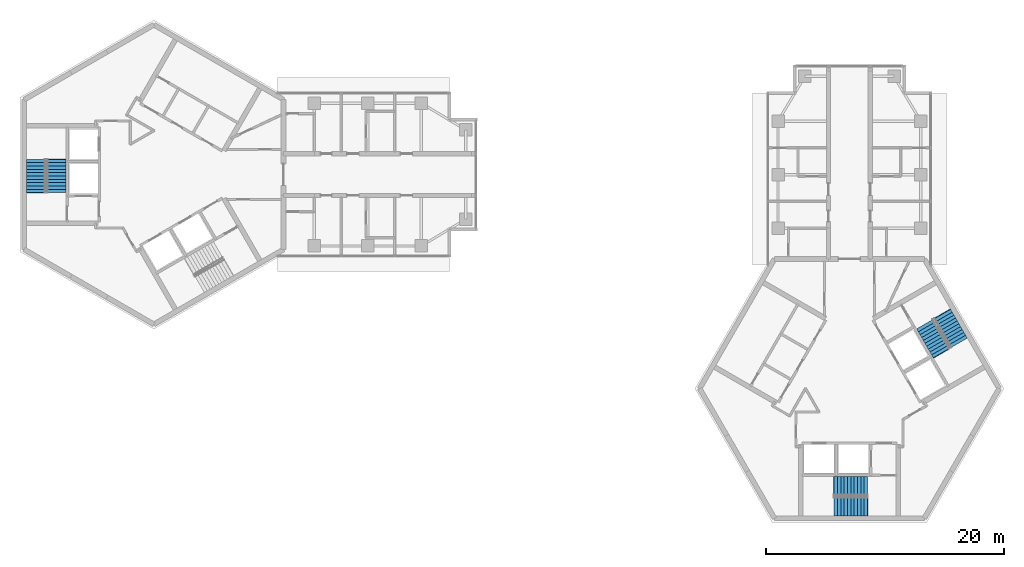
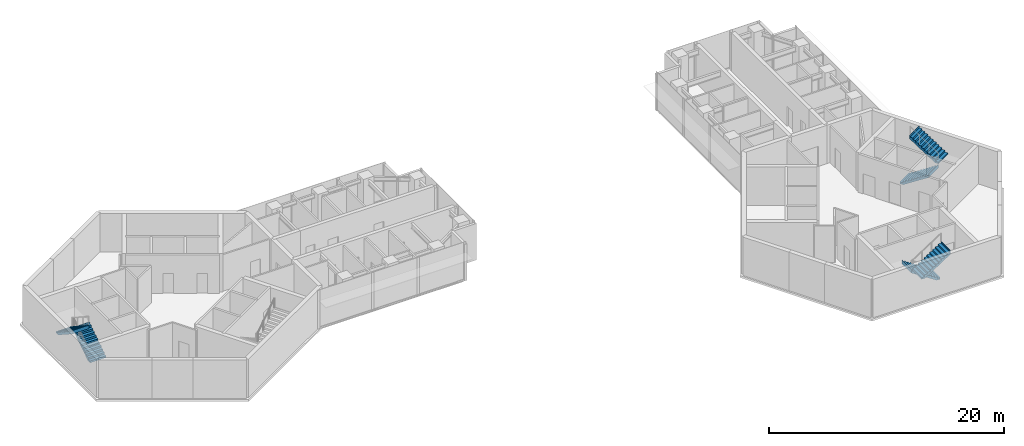
# One storey, part 10 of 11: 6 stair flights, 3 elements without a shape of their own.
"""IFC4 building model written with IfcOpenShell, lengths in metres."""

from ifc_helpers import new_model, si_unit, direction, frame, origin, place, context, subcontext, project, spatial, polyline, outline, extrude, material, type_object, element, aggregate, save


model = new_model("IFC4")

# Units and contexts
model_context = context("Model", 3, precision=1e-05, world=origin(), true_north=direction((0.0, 1.0)))
body_context = subcontext(model_context, "Body", "Model", "MODEL_VIEW")
ifc_project = project(units=[si_unit("LENGTHUNIT", "METRE"), si_unit("AREAUNIT", "SQUARE_METRE"), si_unit("VOLUMEUNIT", "CUBIC_METRE"), si_unit("PLANEANGLEUNIT", "RADIAN"), si_unit("MASSUNIT", "GRAM", prefix="KILO")], contexts=[model_context])

# Site, building, storey
site_placement = place(None, origin())
site = spatial("IfcSite", under=ifc_project, at=site_placement, CompositionType="ELEMENT")
building_placement = place(site_placement, origin())
building = spatial("IfcBuilding", under=site, at=building_placement, Name="Upepo Twin Towers", CompositionType="ELEMENT")
storey_placement = place(building_placement, frame((0.0, 0.0, 263.5)))
storey = spatial("IfcBuildingStorey", under=building, at=storey_placement, Name="L64", CompositionType="ELEMENT", Elevation=263.5)

# Stair, stair flights
ifc_material_1 = material(Name="Concrete C40/50", Category="concrete")
stair_type = type_object("IfcStairType", Name="Core stair, two flights", PredefinedType="HALF_TURN_STAIR", material=ifc_material_1)
stair_1_placement = place(storey_placement, origin())
stair_1 = element("IfcStair", 1, at=stair_1_placement, inside=storey, type_object=stair_type, Name="T1 stair S1 L64", PredefinedType="HALF_TURN_STAIR")
ifc_material_2 = material(Name="Concrete C40/50", Category="concrete")
stair_flight_type = type_object("IfcStairFlightType", Name="Stair flight 1600 RC", PredefinedType="STRAIGHT", material=ifc_material_2)
stair_flight_1_placement = place(storey_placement, frame((-8.199951171875, -1.52001953125, 0.0), z_axis=(0.0, 0.0, 1.0), x_axis=(0.0, 1.0, 0.0)))
stair_flight_1 = element("IfcStairFlight", 2, at=stair_flight_1_placement, type_object=stair_flight_type, Name="Stair S1 flight 1", NumberOfRisers=11, NumberOfTreads=10, PredefinedType="STRAIGHT", RiserHeight=0.181818182, TreadLength=0.28, context=body_context, shape_type="SweptSolid", body=[
    extrude(outline(polyline([(0.0, 0.0), (0.0, 0.181884765625), (0.280029296875, 0.181884765625), (0.280029296875, 0.363525390625), (0.56005859375, 0.363525390625), (0.56005859375, 0.54541015625), (0.840087890625, 0.54541015625), (0.840087890625, 0.727294921875), (1.1201171875, 0.727294921875), (1.1201171875, 0.9091796875), (1.39990234375, 0.9091796875), (1.39990234375, 1.0908203125), (1.679931640625, 1.0908203125), (1.679931640625, 1.272705078125), (1.9599609375, 1.272705078125), (1.9599609375, 1.45458984375), (2.239990234375, 1.45458984375), (2.239990234375, 1.636474609375), (2.52001953125, 1.636474609375), (2.52001953125, 1.818115234375), (2.800048828125, 1.818115234375), (2.800048828125, 2.0), (2.85009765625, 2.0), (2.85009765625, 1.639404296875), (0.3251953125, 0.0), (0.0, 0.0)])), frame((0.0, 0.800048828125, 0.0), z_axis=(0.0, -1.0, 0.0), x_axis=(1.0, 0.0, 0.0)), (0.0, 0.0, 1.0), 1.60009765625),
])
stair_flight_2_placement = place(storey_placement, frame((-9.908447265625, 1.280029296875, 2.0), z_axis=(0.0, 0.0, 1.0), x_axis=(0.0, -1.0, 0.0)))
stair_flight_2 = element("IfcStairFlight", 3, at=stair_flight_2_placement, type_object=stair_flight_type, Name="Stair S1 flight 2", NumberOfRisers=11, NumberOfTreads=10, PredefinedType="STRAIGHT", RiserHeight=0.181818182, TreadLength=0.28, context=body_context, shape_type="SweptSolid", body=[
    extrude(outline(polyline([(0.0, 0.0), (0.0, 0.181884765625), (0.280029296875, 0.181884765625), (0.280029296875, 0.363525390625), (0.56005859375, 0.363525390625), (0.56005859375, 0.54541015625), (0.840087890625, 0.54541015625), (0.840087890625, 0.727294921875), (1.1201171875, 0.727294921875), (1.1201171875, 0.9091796875), (1.39990234375, 0.9091796875), (1.39990234375, 1.0908203125), (1.679931640625, 1.0908203125), (1.679931640625, 1.272705078125), (1.9599609375, 1.272705078125), (1.9599609375, 1.45458984375), (2.239990234375, 1.45458984375), (2.239990234375, 1.636474609375), (2.52001953125, 1.636474609375), (2.52001953125, 1.818115234375), (2.800048828125, 1.818115234375), (2.800048828125, 2.0), (2.85009765625, 2.0), (2.85009765625, 1.639404296875), (0.3251953125, 0.0), (0.0, 0.0)])), frame((0.0, 0.800048828125, 0.0), z_axis=(0.0, -1.0, 0.0), x_axis=(1.0, 0.0, 0.0)), (0.0, 0.0, 1.0), 1.60009765625),
])
aggregate(stair_1, [stair_flight_1, stair_flight_2])

stair_2_placement = place(storey_placement, origin())
stair_2 = element("IfcStair", 4, at=stair_2_placement, inside=storey, type_object=stair_type, Name="T2 stair S1 L64", PredefinedType="HALF_TURN_STAIR")
stair_flight_3_placement = place(storey_placement, frame((60.02001953125, -26.199951171875, 0.0), z_axis=(0.0, 0.0, 1.0), x_axis=(-1.0, 0.0, 0.0)))
stair_flight_3 = element("IfcStairFlight", 5, at=stair_flight_3_placement, type_object=stair_flight_type, Name="Stair S1 flight 1", NumberOfRisers=11, NumberOfTreads=10, PredefinedType="STRAIGHT", RiserHeight=0.181818182, TreadLength=0.28, context=body_context, shape_type="SweptSolid", body=[
    extrude(outline(polyline([(0.0, 0.0), (0.0, 0.181884765625), (0.280029296875, 0.181884765625), (0.280029296875, 0.363525390625), (0.56005859375, 0.363525390625), (0.56005859375, 0.54541015625), (0.840087890625, 0.54541015625), (0.840087890625, 0.727294921875), (1.1201171875, 0.727294921875), (1.1201171875, 0.9091796875), (1.39990234375, 0.9091796875), (1.39990234375, 1.0908203125), (1.679931640625, 1.0908203125), (1.679931640625, 1.272705078125), (1.9599609375, 1.272705078125), (1.9599609375, 1.45458984375), (2.239990234375, 1.45458984375), (2.239990234375, 1.636474609375), (2.52001953125, 1.636474609375), (2.52001953125, 1.818115234375), (2.800048828125, 1.818115234375), (2.800048828125, 2.0), (2.85009765625, 2.0), (2.85009765625, 1.639404296875), (0.3251953125, 0.0), (0.0, 0.0)])), frame((0.0, 0.800048828125, 0.0), z_axis=(0.0, -1.0, 0.0), x_axis=(1.0, 0.0, 0.0)), (0.0, 0.0, 1.0), 1.60009765625),
])
stair_flight_4_placement = place(storey_placement, frame((57.219970703125, -27.908447265625, 2.0), z_axis=(0.0, 0.0, 1.0), x_axis=(1.0, 0.0, 0.0)))
stair_flight_4 = element("IfcStairFlight", 6, at=stair_flight_4_placement, type_object=stair_flight_type, Name="Stair S1 flight 2", NumberOfRisers=11, NumberOfTreads=10, PredefinedType="STRAIGHT", RiserHeight=0.181818182, TreadLength=0.28, context=body_context, shape_type="SweptSolid", body=[
    extrude(outline(polyline([(0.0, 0.0), (0.0, 0.181884765625), (0.280029296875, 0.181884765625), (0.280029296875, 0.363525390625), (0.56005859375, 0.363525390625), (0.56005859375, 0.54541015625), (0.840087890625, 0.54541015625), (0.840087890625, 0.727294921875), (1.1201171875, 0.727294921875), (1.1201171875, 0.9091796875), (1.39990234375, 0.9091796875), (1.39990234375, 1.0908203125), (1.679931640625, 1.0908203125), (1.679931640625, 1.272705078125), (1.9599609375, 1.272705078125), (1.9599609375, 1.45458984375), (2.239990234375, 1.45458984375), (2.239990234375, 1.636474609375), (2.52001953125, 1.636474609375), (2.52001953125, 1.818115234375), (2.800048828125, 1.818115234375), (2.800048828125, 2.0), (2.85009765625, 2.0), (2.85009765625, 1.639404296875), (0.3251953125, 0.0), (0.0, 0.0)])), frame((0.0, 0.800048828125, 0.0), z_axis=(0.0, -1.0, 0.0), x_axis=(1.0, 0.0, 0.0)), (0.0, 0.0, 1.0), 1.60009765625),
])
aggregate(stair_2, [stair_flight_3, stair_flight_4])

stair_3_placement = place(storey_placement, origin())
stair_3 = element("IfcStair", 7, at=stair_3_placement, inside=storey, type_object=stair_type, Name="T2 stair S2 L64", PredefinedType="HALF_TURN_STAIR")
stair_flight_5_placement = place(storey_placement, frame((64.84130859375, -12.583740234375, 0.0), z_axis=(0.0, 0.0, 1.0), x_axis=(0.5, -0.866025403784, 0.0)))
stair_flight_5 = element("IfcStairFlight", 8, at=stair_flight_5_placement, type_object=stair_flight_type, Name="Stair S2 flight 1", NumberOfRisers=11, NumberOfTreads=10, PredefinedType="STRAIGHT", RiserHeight=0.181818182, TreadLength=0.28, context=body_context, shape_type="SweptSolid", body=[
    extrude(outline(polyline([(0.0, 0.0), (0.0, 0.181884765625), (0.280029296875, 0.181884765625), (0.280029296875, 0.363525390625), (0.56005859375, 0.363525390625), (0.56005859375, 0.54541015625), (0.840087890625, 0.54541015625), (0.840087890625, 0.727294921875), (1.1201171875, 0.727294921875), (1.1201171875, 0.9091796875), (1.39990234375, 0.9091796875), (1.39990234375, 1.0908203125), (1.679931640625, 1.0908203125), (1.679931640625, 1.272705078125), (1.9599609375, 1.272705078125), (1.9599609375, 1.45458984375), (2.239990234375, 1.45458984375), (2.239990234375, 1.636474609375), (2.52001953125, 1.636474609375), (2.52001953125, 1.818115234375), (2.800048828125, 1.818115234375), (2.800048828125, 2.0), (2.85009765625, 2.0), (2.85009765625, 1.639404296875), (0.3251953125, 0.0), (0.0, 0.0)])), frame((0.0, 0.800048828125, 0.0), z_axis=(0.0, -1.0, 0.0), x_axis=(1.0, 0.0, 0.0)), (0.0, 0.0, 1.0), 1.60009765625),
])
stair_flight_6_placement = place(storey_placement, frame((67.720947265625, -14.154296875, 2.0), z_axis=(0.0, 0.0, 1.0), x_axis=(-0.5, 0.866025403784, 0.0)))
stair_flight_6 = element("IfcStairFlight", 9, at=stair_flight_6_placement, type_object=stair_flight_type, Name="Stair S2 flight 2", NumberOfRisers=11, NumberOfTreads=10, PredefinedType="STRAIGHT", RiserHeight=0.181818182, TreadLength=0.28, context=body_context, shape_type="SweptSolid", body=[
    extrude(outline(polyline([(0.0, 0.0), (0.0, 0.181884765625), (0.280029296875, 0.181884765625), (0.280029296875, 0.363525390625), (0.56005859375, 0.363525390625), (0.56005859375, 0.54541015625), (0.840087890625, 0.54541015625), (0.840087890625, 0.727294921875), (1.1201171875, 0.727294921875), (1.1201171875, 0.9091796875), (1.39990234375, 0.9091796875), (1.39990234375, 1.0908203125), (1.679931640625, 1.0908203125), (1.679931640625, 1.272705078125), (1.9599609375, 1.272705078125), (1.9599609375, 1.45458984375), (2.239990234375, 1.45458984375), (2.239990234375, 1.636474609375), (2.52001953125, 1.636474609375), (2.52001953125, 1.818115234375), (2.800048828125, 1.818115234375), (2.800048828125, 2.0), (2.85009765625, 2.0), (2.85009765625, 1.639404296875), (0.3251953125, 0.0), (0.0, 0.0)])), frame((0.0, 0.800048828125, 0.0), z_axis=(0.0, -1.0, 0.0), x_axis=(1.0, 0.0, 0.0)), (0.0, 0.0, 1.0), 1.60009765625),
])
aggregate(stair_3, [stair_flight_5, stair_flight_6])

save(model, "model.ifc")
